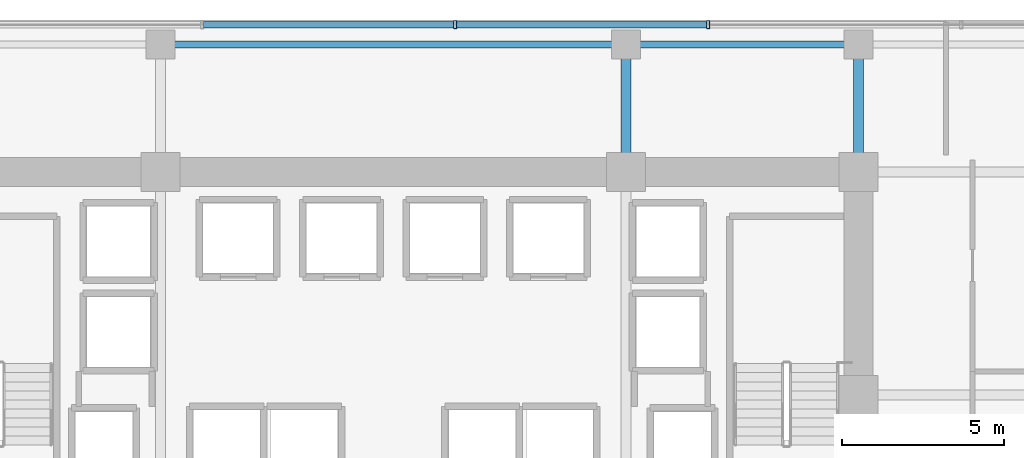
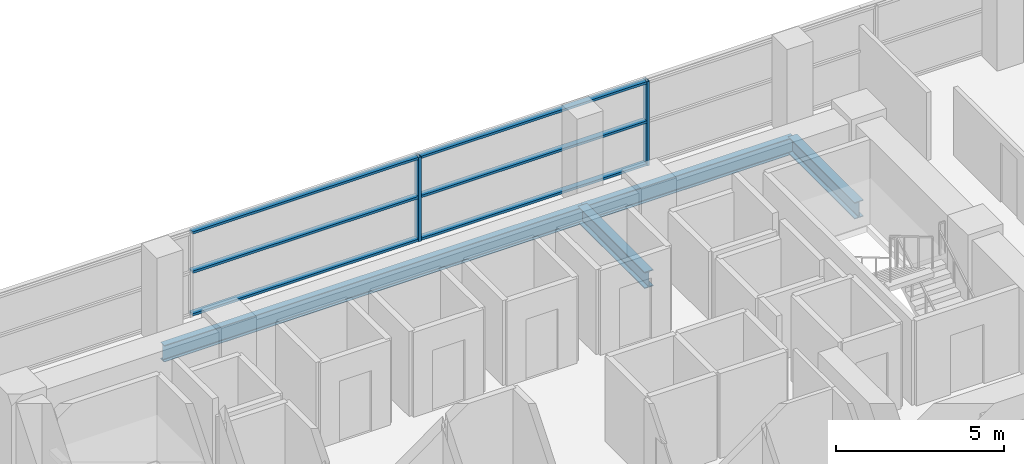
# One storey, part 18 of 29: 8 members, 4 beams, 1 element without a shape of its own.
"""IFC4 building model written with IfcOpenShell, lengths in metres."""

from ifc_helpers import new_model, si_unit, direction, frame, origin, origin_2d, place, context, subcontext, project, spatial, hollow_rectangle, i_section, extrude, source, transform, mapped, material, layer, layer_set, material_profile, profile_set, type_object, element, aggregate, save


model = new_model("IFC4")

# Units and contexts
model_context = context("Model", 3, precision=1e-05, world=origin(), true_north=direction((0.0, 1.0)))
body_context = subcontext(model_context, "Body", "Model", "MODEL_VIEW")
ifc_project = project(units=[si_unit("LENGTHUNIT", "METRE"), si_unit("AREAUNIT", "SQUARE_METRE"), si_unit("VOLUMEUNIT", "CUBIC_METRE"), si_unit("PLANEANGLEUNIT", "RADIAN"), si_unit("MASSUNIT", "GRAM", prefix="KILO")], contexts=[model_context])

# Site, building, storey
site_placement = place(None, origin())
site = spatial("IfcSite", under=ifc_project, at=site_placement, CompositionType="ELEMENT")
building_placement = place(site_placement, origin())
building = spatial("IfcBuilding", under=site, at=building_placement, Name="Zarnakvel Exchange Tower", CompositionType="ELEMENT")
storey_placement = place(building_placement, frame((0.0, 0.0, 37.300048828125)))
storey = spatial("IfcBuildingStorey", under=building, at=storey_placement, Name="L09", CompositionType="ELEMENT", Elevation=37.300048828125)

# Beams
ifc_material_1 = material(Name="Steel S355", Category="steel")
ifc_material_profile_1 = material_profile(ifc_material_1, i_section(OverallWidth=0.300048828125, OverallDepth=0.60009765625, WebThickness=0.015380859375, FlangeThickness=0.030029296875, FilletRadius=0.027099609375, at=origin_2d()))
ifc_profile_set_1 = profile_set([ifc_material_profile_1], Name="Steel S355")
beam_type_1 = type_object("IfcBeamType", Name="G-04", PredefinedType="BEAM", material=ifc_profile_set_1)
for number, where, z_axis, x_axis, name in (
    (1, (7.199951171875, 13.5, -0.525146484375), (0.0, 1.0, 0.0), (-1.0, 0.0, 0.0), "L09 Tower N-S Frame Beam"),
    (2, (14.39990234375, 13.5, -0.525146484375), (0.0, 1.0, 0.0), (-1.0, 0.0, 0.0), "L09 Tower N-S Frame Beam"),
):
    element("IfcBeam", number, at=place(storey_placement, frame(where, z_axis=z_axis, x_axis=x_axis)), inside=storey, type_object=beam_type_1, Name=name, PredefinedType="BEAM", context=body_context, shape_type="SweptSolid", body=[
        extrude(i_section(OverallWidth=0.300048828125, OverallDepth=0.60009765625, WebThickness=0.015380859375, FlangeThickness=0.030029296875, FilletRadius=0.027099609375, at=origin_2d()), origin(), (0.0, 0.0, 1.0), 3.949951171875),
    ])
ifc_material_profile_2 = material_profile(ifc_material_1, i_section(OverallWidth=0.219970703125, OverallDepth=0.60009765625, WebThickness=0.011962890625, FlangeThickness=0.01904296875, FilletRadius=0.02392578125, at=origin_2d()))
ifc_profile_set_2 = profile_set([ifc_material_profile_2], Name="Steel S355")
beam_type_2 = type_object("IfcBeamType", Name="SP-01", PredefinedType="SPANDREL", material=ifc_profile_set_2)
beam_1_placement = place(storey_placement, frame((-7.199951171875, 17.449951171875, -0.525146484375), z_axis=(1.0, 0.0, 0.0), x_axis=(0.0, 1.0, 0.0)))
element("IfcBeam", 3, at=beam_1_placement, inside=storey, type_object=beam_type_2, Name="L09 Tower E-W Frame Beam", PredefinedType="SPANDREL", context=body_context, shape_type="SweptSolid", body=[
    extrude(i_section(OverallWidth=0.219970703125, OverallDepth=0.60009765625, WebThickness=0.011962890625, FlangeThickness=0.01904296875, FilletRadius=0.02392578125, at=origin_2d()), origin(), (0.0, 0.0, 1.0), 14.39990234375),
])
beam_2_placement = place(storey_placement, frame((7.199951171875, 17.449951171875, -0.525146484375), z_axis=(1.0, 0.0, 0.0), x_axis=(0.0, 1.0, 0.0)))
element("IfcBeam", 4, at=beam_2_placement, inside=storey, type_object=beam_type_2, Name="L09 Tower E-W Frame Beam", PredefinedType="SPANDREL", context=body_context, shape_type="SweptSolid", body=[
    extrude(i_section(OverallWidth=0.219970703125, OverallDepth=0.60009765625, WebThickness=0.011962890625, FlangeThickness=0.01904296875, FilletRadius=0.02392578125, at=origin_2d()), origin(), (0.0, 0.0, 1.0), 7.199951171875),
])

# Curtain wall, members
ifc_material_2 = material(Name="Architectural Bronze Anodised Aluminium", Category="aluminium")
ifc_layer = layer(ifc_material_2, 0.239990234375)
ifc_layer_set = layer_set([ifc_layer], Name="Architectural Bronze Anodised Aluminium")
curtain_wall_type = type_object("IfcCurtainWallType", Name="CW-02", PredefinedType="NOTDEFINED", material=ifc_layer_set)
curtain_wall_placement = place(storey_placement, origin())
curtain_wall = element("IfcCurtainWall", 5, at=curtain_wall_placement, inside=storey, type_object=curtain_wall_type, Name="L09 Curtain Wall CW-L09-N1 (CW-02)", PredefinedType="NOTDEFINED")
ifc_material_profile_3 = material_profile(ifc_material_2, hollow_rectangle(XDim=0.199951171875, YDim=0.0849609375, WallThickness=0.0048828125, at=origin_2d()))
ifc_profile_set_3 = profile_set([ifc_material_profile_3], Name="Architectural Bronze Anodised Aluminium")
member_type_1 = type_object("IfcMemberType", Name="CWT-02", PredefinedType="USERDEFINED", material=ifc_profile_set_3)
shared_shape_1 = source(origin(), body_context, "Body", "SweptSolid", [
    extrude(hollow_rectangle(XDim=0.199951171875, YDim=0.0849609375, WallThickness=0.0048828125, at=origin_2d()), origin(), (0.0, 0.0, 1.0), 7.738525390625),
])
member_1_placement = place(storey_placement, frame((1.959228515625, 18.06005859375, 0.04248046875), z_axis=(1.0, 0.0, 0.0), x_axis=(0.0, 1.0, 0.0)))
member_1 = element("IfcMember", 6, at=member_1_placement, type_object=member_type_1, Name="CW-02 transom 5.1", ObjectType="TRANSOM", PredefinedType="USERDEFINED", context=body_context, shape_type="MappedRepresentation", body=[
    mapped(shared_shape_1, transform((0.0, 0.0, 0.0), x_axis=(1.0, 0.0, 0.0), y_axis=(0.0, 1.0, 0.0), z_axis=(0.0, 0.0, 1.0), scale=1.0)),
])
member_2_placement = place(storey_placement, frame((1.959228515625, 18.06005859375, 1.588623046875), z_axis=(1.0, 0.0, 0.0), x_axis=(0.0, 1.0, 0.0)))
member_2 = element("IfcMember", 7, at=member_2_placement, type_object=member_type_1, Name="CW-02 transom 5.2", ObjectType="TRANSOM", PredefinedType="USERDEFINED", context=body_context, shape_type="MappedRepresentation", body=[
    mapped(shared_shape_1, transform((0.0, 0.0, 0.0), x_axis=(1.0, 0.0, 0.0), y_axis=(0.0, 1.0, 0.0), z_axis=(0.0, 0.0, 1.0), scale=1.0)),
])
member_3_placement = place(storey_placement, frame((1.959228515625, 18.06005859375, 3.012451171875), z_axis=(1.0, 0.0, 0.0), x_axis=(0.0, 1.0, 0.0)))
member_3 = element("IfcMember", 8, at=member_3_placement, type_object=member_type_1, Name="CW-02 transom 5.3", ObjectType="TRANSOM", PredefinedType="USERDEFINED", context=body_context, shape_type="MappedRepresentation", body=[
    mapped(shared_shape_1, transform((0.0, 0.0, 0.0), x_axis=(1.0, 0.0, 0.0), y_axis=(0.0, 1.0, 0.0), z_axis=(0.0, 0.0, 1.0), scale=1.0)),
])
shared_shape_2 = source(origin(), body_context, "Body", "SweptSolid", [
    extrude(hollow_rectangle(XDim=0.199951171875, YDim=0.0849609375, WallThickness=0.0048828125, at=origin_2d()), origin(), (0.0, 0.0, 1.0), 7.73876953125),
])
member_4_placement = place(storey_placement, frame((-5.869384765625, 18.06005859375, 0.04248046875), z_axis=(1.0, 0.0, 0.0), x_axis=(0.0, 1.0, 0.0)))
member_4 = element("IfcMember", 9, at=member_4_placement, type_object=member_type_1, Name="CW-02 transom 4.1", ObjectType="TRANSOM", PredefinedType="USERDEFINED", context=body_context, shape_type="MappedRepresentation", body=[
    mapped(shared_shape_2, transform((0.0, 0.0, 0.0), x_axis=(1.0, 0.0, 0.0), y_axis=(0.0, 1.0, 0.0), z_axis=(0.0, 0.0, 1.0), scale=1.0)),
])
member_5_placement = place(storey_placement, frame((-5.869384765625, 18.06005859375, 1.588623046875), z_axis=(1.0, 0.0, 0.0), x_axis=(0.0, 1.0, 0.0)))
member_5 = element("IfcMember", 10, at=member_5_placement, type_object=member_type_1, Name="CW-02 transom 4.2", ObjectType="TRANSOM", PredefinedType="USERDEFINED", context=body_context, shape_type="MappedRepresentation", body=[
    mapped(shared_shape_2, transform((0.0, 0.0, 0.0), x_axis=(1.0, 0.0, 0.0), y_axis=(0.0, 1.0, 0.0), z_axis=(0.0, 0.0, 1.0), scale=1.0)),
])
member_6_placement = place(storey_placement, frame((-5.869384765625, 18.06005859375, 3.012451171875), z_axis=(1.0, 0.0, 0.0), x_axis=(0.0, 1.0, 0.0)))
member_6 = element("IfcMember", 11, at=member_6_placement, type_object=member_type_1, Name="CW-02 transom 4.3", ObjectType="TRANSOM", PredefinedType="USERDEFINED", context=body_context, shape_type="MappedRepresentation", body=[
    mapped(shared_shape_2, transform((0.0, 0.0, 0.0), x_axis=(1.0, 0.0, 0.0), y_axis=(0.0, 1.0, 0.0), z_axis=(0.0, 0.0, 1.0), scale=1.0)),
])
ifc_material_profile_4 = material_profile(ifc_material_2, hollow_rectangle(XDim=0.239990234375, YDim=0.090087890625, WallThickness=0.006103515625, at=origin_2d()))
ifc_profile_set_4 = profile_set([ifc_material_profile_4], Name="Architectural Bronze Anodised Aluminium")
member_type_2 = type_object("IfcMemberType", Name="CWM-02", PredefinedType="MULLION", material=ifc_profile_set_4)
shared_shape_3 = source(origin(), body_context, "Body", "SweptSolid", [
    extrude(hollow_rectangle(XDim=0.239990234375, YDim=0.090087890625, WallThickness=0.006103515625, at=origin_2d()), origin(), (0.0, 0.0, 1.0), 3.054931640625),
])
member_7_placement = place(storey_placement, frame((1.914306640625, 18.06005859375, 0.0), z_axis=(0.0, 0.0, 1.0), x_axis=(0.0, 1.0, 0.0)))
member_7 = element("IfcMember", 12, at=member_7_placement, type_object=member_type_2, Name="CW-02 mullion 5", PredefinedType="MULLION", context=body_context, shape_type="MappedRepresentation", body=[
    mapped(shared_shape_3, transform((0.0, 0.0, 0.0), x_axis=(1.0, 0.0, 0.0), y_axis=(0.0, 1.0, 0.0), z_axis=(0.0, 0.0, 1.0), scale=1.0)),
])
member_8_placement = place(storey_placement, frame((9.742919921875, 18.06005859375, 0.0), z_axis=(0.0, 0.0, 1.0), x_axis=(0.0, 1.0, 0.0)))
member_8 = element("IfcMember", 13, at=member_8_placement, type_object=member_type_2, Name="CW-02 mullion 6", PredefinedType="MULLION", context=body_context, shape_type="MappedRepresentation", body=[
    mapped(shared_shape_3, transform((0.0, 0.0, 0.0), x_axis=(1.0, 0.0, 0.0), y_axis=(0.0, 1.0, 0.0), z_axis=(0.0, 0.0, 1.0), scale=1.0)),
])
aggregate(curtain_wall, [member_7, member_8, member_4, member_5, member_6, member_1, member_2, member_3])

save(model, "model.ifc")
